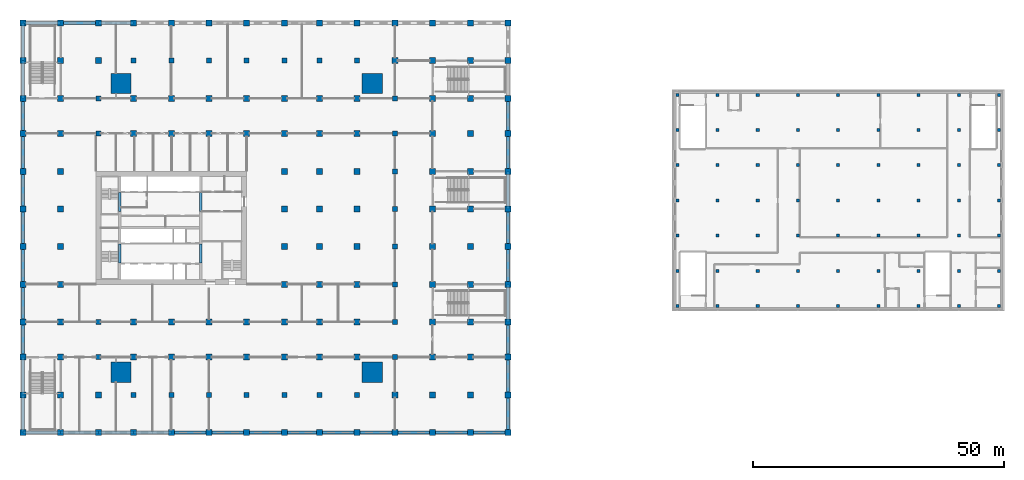
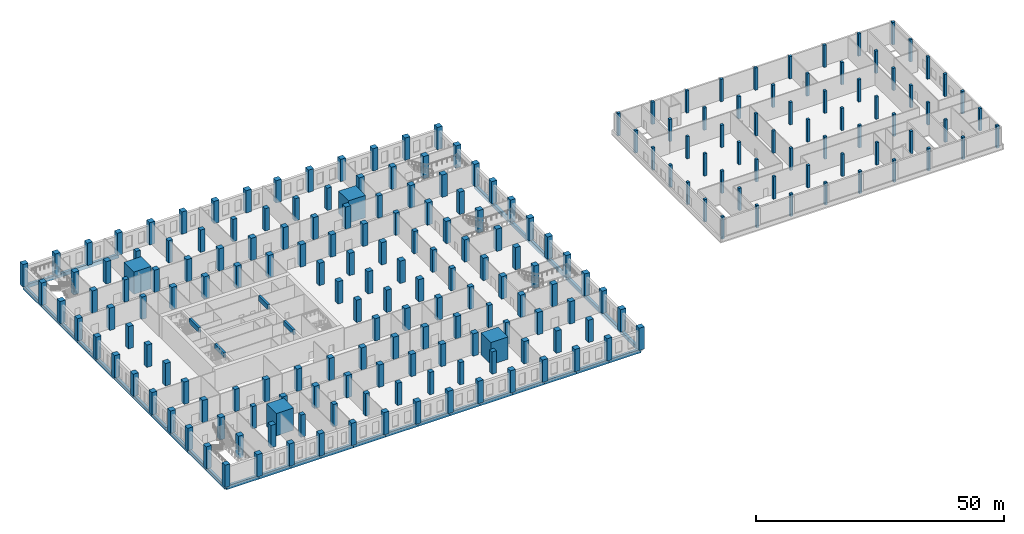
# One storey, part 1 of 25: 215 columns, 40 beams.
"""IFC4 building model written with IfcOpenShell, lengths in metres."""

from ifc_helpers import new_model, si_unit, direction, frame, origin, origin_2d, place, context, subcontext, project, spatial, rectangle, extrude, material, material_profile, profile_set, type_object, element, save


model = new_model("IFC4")

# Units and contexts
model_context = context("Model", 3, precision=1e-05, world=origin(), true_north=direction((0.0, 1.0)))
body_context = subcontext(model_context, "Body", "Model", "MODEL_VIEW")
ifc_project = project(units=[si_unit("LENGTHUNIT", "METRE"), si_unit("AREAUNIT", "SQUARE_METRE"), si_unit("VOLUMEUNIT", "CUBIC_METRE"), si_unit("PLANEANGLEUNIT", "RADIAN"), si_unit("MASSUNIT", "GRAM", prefix="KILO")], contexts=[model_context])

# Site, building, storey
site_placement = place(None, origin())
site = spatial("IfcSite", under=ifc_project, at=site_placement, CompositionType="ELEMENT")
building_placement = place(site_placement, origin())
building = spatial("IfcBuilding", under=site, at=building_placement, Name="Tamorin Gate", CompositionType="ELEMENT")
storey_placement = place(building_placement, frame((0.0, 0.0, 23.5)))
storey = spatial("IfcBuildingStorey", under=building, at=storey_placement, Name="L04", CompositionType="ELEMENT", Elevation=23.5)

# Columns
ifc_material_1 = material(Name="Concrete C80/95", Category="concrete")
ifc_material_profile_1 = material_profile(ifc_material_1, rectangle(XDim=1.0, YDim=1.0, at=origin_2d()), Name="RC 1000x1000")
ifc_profile_set_1 = profile_set([ifc_material_profile_1], Name="Concrete C80/95")
column_type_1 = type_object("IfcColumnType", Name="RC column 1000x1000 C80/95", PredefinedType="COLUMN", material=ifc_profile_set_1)
for number, where, z_axis, x_axis, name in (
    (1, (30.5, 45.5, 0.0), (0.0, 0.0, 1.0), (1.0, 0.0, 0.0), "Ring column L04"),
    (2, (30.5, 52.5, 0.0), (0.0, 0.0, 1.0), (1.0, 0.0, 0.0), "Ring column L04"),
    (3, (30.5, 90.0, 0.0), (0.0, 0.0, 1.0), (1.0, 0.0, 0.0), "Ring column L04"),
    (4, (30.5, 97.0, 0.0), (0.0, 0.0, 1.0), (1.0, 0.0, 0.0), "Ring column L04"),
    (5, (37.5, 38.0, 0.0), (0.0, 0.0, 1.0), (1.0, 0.0, 0.0), "Ring column L04"),
    (6, (37.5, 104.5, 0.0), (0.0, 0.0, 1.0), (1.0, 0.0, 0.0), "Ring column L04"),
    (7, (45.0, 38.0, 0.0), (0.0, 0.0, 1.0), (1.0, 0.0, 0.0), "Ring column L04"),
    (8, (45.0, 104.5, 0.0), (0.0, 0.0, 1.0), (1.0, 0.0, 0.0), "Ring column L04"),
    (9, (52.5, 38.0, 0.0), (0.0, 0.0, 1.0), (1.0, 0.0, 0.0), "Ring column L04"),
    (10, (52.5, 104.5, 0.0), (0.0, 0.0, 1.0), (1.0, 0.0, 0.0), "Ring column L04"),
    (11, (60.0, 38.0, 0.0), (0.0, 0.0, 1.0), (1.0, 0.0, 0.0), "Ring column L04"),
    (12, (60.0, 104.5, 0.0), (0.0, 0.0, 1.0), (1.0, 0.0, 0.0), "Ring column L04"),
    (13, (67.5, 38.0, 0.0), (0.0, 0.0, 1.0), (1.0, 0.0, 0.0), "Ring column L04"),
    (14, (67.5, 104.5, 0.0), (0.0, 0.0, 1.0), (1.0, 0.0, 0.0), "Ring column L04"),
    (15, (74.5, 38.0, 0.0), (0.0, 0.0, 1.0), (1.0, 0.0, 0.0), "Ring column L04"),
    (16, (74.5, 104.5, 0.0), (0.0, 0.0, 1.0), (1.0, 0.0, 0.0), "Ring column L04"),
    (17, (82.0, 38.0, 0.0), (0.0, 0.0, 1.0), (1.0, 0.0, 0.0), "Ring column L04"),
    (18, (82.0, 104.5, 0.0), (0.0, 0.0, 1.0), (1.0, 0.0, 0.0), "Ring column L04"),
    (19, (89.5, 45.5, 0.0), (0.0, 0.0, 1.0), (1.0, 0.0, 0.0), "Ring column L04"),
    (20, (89.5, 52.5, 0.0), (0.0, 0.0, 1.0), (1.0, 0.0, 0.0), "Ring column L04"),
    (21, (89.5, 60.0, 0.0), (0.0, 0.0, 1.0), (1.0, 0.0, 0.0), "Ring column L04"),
    (22, (89.5, 67.5, 0.0), (0.0, 0.0, 1.0), (1.0, 0.0, 0.0), "Ring column L04"),
    (23, (89.5, 75.0, 0.0), (0.0, 0.0, 1.0), (1.0, 0.0, 0.0), "Ring column L04"),
    (24, (89.5, 82.5, 0.0), (0.0, 0.0, 1.0), (1.0, 0.0, 0.0), "Ring column L04"),
    (25, (89.5, 90.0, 0.0), (0.0, 0.0, 1.0), (1.0, 0.0, 0.0), "Ring column L04"),
    (26, (89.5, 97.0, 0.0), (0.0, 0.0, 1.0), (1.0, 0.0, 0.0), "Ring column L04"),
):
    element("IfcColumn", number, at=place(storey_placement, frame(where, z_axis=z_axis, x_axis=x_axis)), inside=storey, type_object=column_type_1, Name=name, PredefinedType="COLUMN", context=body_context, shape_type="SweptSolid", body=[
        extrude(rectangle(XDim=1.0, YDim=1.0, at=origin_2d()), origin(), (0.0, 0.0, 1.0), 5.5),
    ])
ifc_material_profile_2 = material_profile(ifc_material_1, rectangle(XDim=1.199951171875, YDim=1.199951171875, at=origin_2d()), Name="RC 1200x1200")
ifc_profile_set_2 = profile_set([ifc_material_profile_2], Name="Concrete C80/95")
column_type_2 = type_object("IfcColumnType", Name="RC column 1200x1200 C80/95", PredefinedType="COLUMN", material=ifc_profile_set_2)
for number, where, z_axis, x_axis, name in (
    (27, (37.5, 45.5, 0.0), (0.0, 0.0, 1.0), (1.0, 0.0, 0.0), "Interior column L04"),
    (28, (37.5, 52.5, 0.0), (0.0, 0.0, 1.0), (1.0, 0.0, 0.0), "Interior column L04"),
    (29, (37.5, 90.0, 0.0), (0.0, 0.0, 1.0), (1.0, 0.0, 0.0), "Interior column L04"),
    (30, (37.5, 97.0, 0.0), (0.0, 0.0, 1.0), (1.0, 0.0, 0.0), "Interior column L04"),
    (31, (45.0, 45.5, 0.0), (0.0, 0.0, 1.0), (1.0, 0.0, 0.0), "Interior column L04"),
    (32, (45.0, 52.5, 0.0), (0.0, 0.0, 1.0), (1.0, 0.0, 0.0), "Interior column L04"),
    (33, (45.0, 90.0, 0.0), (0.0, 0.0, 1.0), (1.0, 0.0, 0.0), "Interior column L04"),
    (34, (45.0, 97.0, 0.0), (0.0, 0.0, 1.0), (1.0, 0.0, 0.0), "Interior column L04"),
    (35, (52.5, 45.5, 0.0), (0.0, 0.0, 1.0), (1.0, 0.0, 0.0), "Interior column L04"),
    (36, (52.5, 52.5, 0.0), (0.0, 0.0, 1.0), (1.0, 0.0, 0.0), "Interior column L04"),
    (37, (52.5, 90.0, 0.0), (0.0, 0.0, 1.0), (1.0, 0.0, 0.0), "Interior column L04"),
    (38, (52.5, 97.0, 0.0), (0.0, 0.0, 1.0), (1.0, 0.0, 0.0), "Interior column L04"),
    (39, (60.0, 45.5, 0.0), (0.0, 0.0, 1.0), (1.0, 0.0, 0.0), "Interior column L04"),
    (40, (60.0, 52.5, 0.0), (0.0, 0.0, 1.0), (1.0, 0.0, 0.0), "Interior column L04"),
    (41, (60.0, 90.0, 0.0), (0.0, 0.0, 1.0), (1.0, 0.0, 0.0), "Interior column L04"),
    (42, (60.0, 97.0, 0.0), (0.0, 0.0, 1.0), (1.0, 0.0, 0.0), "Interior column L04"),
    (43, (67.5, 45.5, 0.0), (0.0, 0.0, 1.0), (1.0, 0.0, 0.0), "Interior column L04"),
    (44, (67.5, 52.5, 0.0), (0.0, 0.0, 1.0), (1.0, 0.0, 0.0), "Interior column L04"),
    (45, (67.5, 60.0, 0.0), (0.0, 0.0, 1.0), (1.0, 0.0, 0.0), "Interior column L04"),
    (46, (67.5, 67.5, 0.0), (0.0, 0.0, 1.0), (1.0, 0.0, 0.0), "Interior column L04"),
    (47, (67.5, 75.0, 0.0), (0.0, 0.0, 1.0), (1.0, 0.0, 0.0), "Interior column L04"),
    (48, (67.5, 82.5, 0.0), (0.0, 0.0, 1.0), (1.0, 0.0, 0.0), "Interior column L04"),
    (49, (67.5, 90.0, 0.0), (0.0, 0.0, 1.0), (1.0, 0.0, 0.0), "Interior column L04"),
    (50, (67.5, 97.0, 0.0), (0.0, 0.0, 1.0), (1.0, 0.0, 0.0), "Interior column L04"),
    (51, (74.5, 45.5, 0.0), (0.0, 0.0, 1.0), (1.0, 0.0, 0.0), "Interior column L04"),
    (52, (74.5, 52.5, 0.0), (0.0, 0.0, 1.0), (1.0, 0.0, 0.0), "Interior column L04"),
    (53, (74.5, 60.0, 0.0), (0.0, 0.0, 1.0), (1.0, 0.0, 0.0), "Interior column L04"),
    (54, (74.5, 67.5, 0.0), (0.0, 0.0, 1.0), (1.0, 0.0, 0.0), "Interior column L04"),
    (55, (74.5, 75.0, 0.0), (0.0, 0.0, 1.0), (1.0, 0.0, 0.0), "Interior column L04"),
    (56, (74.5, 82.5, 0.0), (0.0, 0.0, 1.0), (1.0, 0.0, 0.0), "Interior column L04"),
    (57, (74.5, 90.0, 0.0), (0.0, 0.0, 1.0), (1.0, 0.0, 0.0), "Interior column L04"),
    (58, (74.5, 97.0, 0.0), (0.0, 0.0, 1.0), (1.0, 0.0, 0.0), "Interior column L04"),
    (59, (82.0, 45.5, 0.0), (0.0, 0.0, 1.0), (1.0, 0.0, 0.0), "Interior column L04"),
    (60, (82.0, 52.5, 0.0), (0.0, 0.0, 1.0), (1.0, 0.0, 0.0), "Interior column L04"),
    (61, (82.0, 60.0, 0.0), (0.0, 0.0, 1.0), (1.0, 0.0, 0.0), "Interior column L04"),
    (62, (82.0, 67.5, 0.0), (0.0, 0.0, 1.0), (1.0, 0.0, 0.0), "Interior column L04"),
    (63, (82.0, 75.0, 0.0), (0.0, 0.0, 1.0), (1.0, 0.0, 0.0), "Interior column L04"),
    (64, (82.0, 82.5, 0.0), (0.0, 0.0, 1.0), (1.0, 0.0, 0.0), "Interior column L04"),
    (65, (82.0, 90.0, 0.0), (0.0, 0.0, 1.0), (1.0, 0.0, 0.0), "Interior column L04"),
    (66, (82.0, 97.0, 0.0), (0.0, 0.0, 1.0), (1.0, 0.0, 0.0), "Interior column L04"),
    (67, (15.5, 30.5, 0.0), (0.0, 0.0, 1.0), (1.0, 0.0, 0.0), "Podium column L04"),
    (68, (15.5, 38.0, 0.0), (0.0, 0.0, 1.0), (1.0, 0.0, 0.0), "Podium column L04"),
    (69, (15.5, 45.5, 0.0), (0.0, 0.0, 1.0), (1.0, 0.0, 0.0), "Podium column L04"),
    (70, (15.5, 52.5, 0.0), (0.0, 0.0, 1.0), (1.0, 0.0, 0.0), "Podium column L04"),
    (71, (15.5, 60.0, 0.0), (0.0, 0.0, 1.0), (1.0, 0.0, 0.0), "Podium column L04"),
    (72, (15.5, 67.5, 0.0), (0.0, 0.0, 1.0), (1.0, 0.0, 0.0), "Podium column L04"),
    (73, (15.5, 75.0, 0.0), (0.0, 0.0, 1.0), (1.0, 0.0, 0.0), "Podium column L04"),
    (74, (15.5, 82.5, 0.0), (0.0, 0.0, 1.0), (1.0, 0.0, 0.0), "Podium column L04"),
    (75, (15.5, 90.0, 0.0), (0.0, 0.0, 1.0), (1.0, 0.0, 0.0), "Podium column L04"),
    (76, (15.5, 97.0, 0.0), (0.0, 0.0, 1.0), (1.0, 0.0, 0.0), "Podium column L04"),
    (77, (15.5, 104.5, 0.0), (0.0, 0.0, 1.0), (1.0, 0.0, 0.0), "Podium column L04"),
    (78, (15.5, 112.0, 0.0), (0.0, 0.0, 1.0), (1.0, 0.0, 0.0), "Podium column L04"),
    (79, (23.0, 30.5, 0.0), (0.0, 0.0, 1.0), (1.0, 0.0, 0.0), "Podium column L04"),
    (80, (23.0, 38.0, 0.0), (0.0, 0.0, 1.0), (1.0, 0.0, 0.0), "Podium column L04"),
    (81, (23.0, 45.5, 0.0), (0.0, 0.0, 1.0), (1.0, 0.0, 0.0), "Podium column L04"),
    (82, (23.0, 52.5, 0.0), (0.0, 0.0, 1.0), (1.0, 0.0, 0.0), "Podium column L04"),
    (83, (23.0, 60.0, 0.0), (0.0, 0.0, 1.0), (1.0, 0.0, 0.0), "Podium column L04"),
    (84, (23.0, 67.5, 0.0), (0.0, 0.0, 1.0), (1.0, 0.0, 0.0), "Podium column L04"),
    (85, (23.0, 75.0, 0.0), (0.0, 0.0, 1.0), (1.0, 0.0, 0.0), "Podium column L04"),
    (86, (23.0, 82.5, 0.0), (0.0, 0.0, 1.0), (1.0, 0.0, 0.0), "Podium column L04"),
    (87, (23.0, 90.0, 0.0), (0.0, 0.0, 1.0), (1.0, 0.0, 0.0), "Podium column L04"),
    (88, (23.0, 97.0, 0.0), (0.0, 0.0, 1.0), (1.0, 0.0, 0.0), "Podium column L04"),
    (89, (23.0, 104.5, 0.0), (0.0, 0.0, 1.0), (1.0, 0.0, 0.0), "Podium column L04"),
    (90, (23.0, 112.0, 0.0), (0.0, 0.0, 1.0), (1.0, 0.0, 0.0), "Podium column L04"),
    (91, (30.5, 30.5, 0.0), (0.0, 0.0, 1.0), (1.0, 0.0, 0.0), "Podium column L04"),
    (92, (30.5, 38.0, 0.0), (0.0, 0.0, 1.0), (1.0, 0.0, 0.0), "Podium column L04"),
    (93, (30.5, 104.5, 0.0), (0.0, 0.0, 1.0), (1.0, 0.0, 0.0), "Podium column L04"),
    (94, (30.5, 112.0, 0.0), (0.0, 0.0, 1.0), (1.0, 0.0, 0.0), "Podium column L04"),
    (95, (37.5, 30.5, 0.0), (0.0, 0.0, 1.0), (1.0, 0.0, 0.0), "Podium column L04"),
    (96, (37.5, 112.0, 0.0), (0.0, 0.0, 1.0), (1.0, 0.0, 0.0), "Podium column L04"),
    (97, (45.0, 30.5, 0.0), (0.0, 0.0, 1.0), (1.0, 0.0, 0.0), "Podium column L04"),
    (98, (45.0, 112.0, 0.0), (0.0, 0.0, 1.0), (1.0, 0.0, 0.0), "Podium column L04"),
    (99, (52.5, 30.5, 0.0), (0.0, 0.0, 1.0), (1.0, 0.0, 0.0), "Podium column L04"),
    (100, (52.5, 112.0, 0.0), (0.0, 0.0, 1.0), (1.0, 0.0, 0.0), "Podium column L04"),
    (101, (60.0, 30.5, 0.0), (0.0, 0.0, 1.0), (1.0, 0.0, 0.0), "Podium column L04"),
    (102, (60.0, 112.0, 0.0), (0.0, 0.0, 1.0), (1.0, 0.0, 0.0), "Podium column L04"),
    (103, (67.5, 30.5, 0.0), (0.0, 0.0, 1.0), (1.0, 0.0, 0.0), "Podium column L04"),
    (104, (67.5, 112.0, 0.0), (0.0, 0.0, 1.0), (1.0, 0.0, 0.0), "Podium column L04"),
    (105, (74.5, 30.5, 0.0), (0.0, 0.0, 1.0), (1.0, 0.0, 0.0), "Podium column L04"),
    (106, (74.5, 112.0, 0.0), (0.0, 0.0, 1.0), (1.0, 0.0, 0.0), "Podium column L04"),
    (107, (82.0, 30.5, 0.0), (0.0, 0.0, 1.0), (1.0, 0.0, 0.0), "Podium column L04"),
    (108, (82.0, 112.0, 0.0), (0.0, 0.0, 1.0), (1.0, 0.0, 0.0), "Podium column L04"),
    (109, (89.5, 30.5, 0.0), (0.0, 0.0, 1.0), (1.0, 0.0, 0.0), "Podium column L04"),
    (110, (89.5, 38.0, 0.0), (0.0, 0.0, 1.0), (1.0, 0.0, 0.0), "Podium column L04"),
    (111, (89.5, 104.5, 0.0), (0.0, 0.0, 1.0), (1.0, 0.0, 0.0), "Podium column L04"),
    (112, (89.5, 112.0, 0.0), (0.0, 0.0, 1.0), (1.0, 0.0, 0.0), "Podium column L04"),
    (113, (97.0, 30.5, 0.0), (0.0, 0.0, 1.0), (1.0, 0.0, 0.0), "Podium column L04"),
    (114, (97.0, 38.0, 0.0), (0.0, 0.0, 1.0), (1.0, 0.0, 0.0), "Podium column L04"),
    (115, (97.0, 45.5, 0.0), (0.0, 0.0, 1.0), (1.0, 0.0, 0.0), "Podium column L04"),
    (116, (97.0, 52.5, 0.0), (0.0, 0.0, 1.0), (1.0, 0.0, 0.0), "Podium column L04"),
    (117, (97.0, 60.0, 0.0), (0.0, 0.0, 1.0), (1.0, 0.0, 0.0), "Podium column L04"),
    (118, (97.0, 67.5, 0.0), (0.0, 0.0, 1.0), (1.0, 0.0, 0.0), "Podium column L04"),
    (119, (97.0, 75.0, 0.0), (0.0, 0.0, 1.0), (1.0, 0.0, 0.0), "Podium column L04"),
    (120, (97.0, 82.5, 0.0), (0.0, 0.0, 1.0), (1.0, 0.0, 0.0), "Podium column L04"),
    (121, (97.0, 90.0, 0.0), (0.0, 0.0, 1.0), (1.0, 0.0, 0.0), "Podium column L04"),
    (122, (97.0, 97.0, 0.0), (0.0, 0.0, 1.0), (1.0, 0.0, 0.0), "Podium column L04"),
    (123, (97.0, 104.5, 0.0), (0.0, 0.0, 1.0), (1.0, 0.0, 0.0), "Podium column L04"),
    (124, (97.0, 112.0, 0.0), (0.0, 0.0, 1.0), (1.0, 0.0, 0.0), "Podium column L04"),
    (125, (104.5, 30.5, 0.0), (0.0, 0.0, 1.0), (1.0, 0.0, 0.0), "Podium column L04"),
    (126, (104.5, 38.0, 0.0), (0.0, 0.0, 1.0), (1.0, 0.0, 0.0), "Podium column L04"),
    (127, (104.5, 45.5, 0.0), (0.0, 0.0, 1.0), (1.0, 0.0, 0.0), "Podium column L04"),
    (128, (104.5, 52.5, 0.0), (0.0, 0.0, 1.0), (1.0, 0.0, 0.0), "Podium column L04"),
    (129, (104.5, 60.0, 0.0), (0.0, 0.0, 1.0), (1.0, 0.0, 0.0), "Podium column L04"),
    (130, (104.5, 67.5, 0.0), (0.0, 0.0, 1.0), (1.0, 0.0, 0.0), "Podium column L04"),
    (131, (104.5, 75.0, 0.0), (0.0, 0.0, 1.0), (1.0, 0.0, 0.0), "Podium column L04"),
    (132, (104.5, 82.5, 0.0), (0.0, 0.0, 1.0), (1.0, 0.0, 0.0), "Podium column L04"),
    (133, (104.5, 90.0, 0.0), (0.0, 0.0, 1.0), (1.0, 0.0, 0.0), "Podium column L04"),
    (134, (104.5, 97.0, 0.0), (0.0, 0.0, 1.0), (1.0, 0.0, 0.0), "Podium column L04"),
    (135, (104.5, 104.5, 0.0), (0.0, 0.0, 1.0), (1.0, 0.0, 0.0), "Podium column L04"),
    (136, (104.5, 112.0, 0.0), (0.0, 0.0, 1.0), (1.0, 0.0, 0.0), "Podium column L04"),
    (137, (112.0, 30.5, 0.0), (0.0, 0.0, 1.0), (1.0, 0.0, 0.0), "Podium column L04"),
    (138, (112.0, 38.0, 0.0), (0.0, 0.0, 1.0), (1.0, 0.0, 0.0), "Podium column L04"),
    (139, (112.0, 45.5, 0.0), (0.0, 0.0, 1.0), (1.0, 0.0, 0.0), "Podium column L04"),
    (140, (112.0, 52.5, 0.0), (0.0, 0.0, 1.0), (1.0, 0.0, 0.0), "Podium column L04"),
    (141, (112.0, 60.0, 0.0), (0.0, 0.0, 1.0), (1.0, 0.0, 0.0), "Podium column L04"),
    (142, (112.0, 67.5, 0.0), (0.0, 0.0, 1.0), (1.0, 0.0, 0.0), "Podium column L04"),
    (143, (112.0, 75.0, 0.0), (0.0, 0.0, 1.0), (1.0, 0.0, 0.0), "Podium column L04"),
    (144, (112.0, 82.5, 0.0), (0.0, 0.0, 1.0), (1.0, 0.0, 0.0), "Podium column L04"),
    (145, (112.0, 90.0, 0.0), (0.0, 0.0, 1.0), (1.0, 0.0, 0.0), "Podium column L04"),
    (146, (112.0, 97.0, 0.0), (0.0, 0.0, 1.0), (1.0, 0.0, 0.0), "Podium column L04"),
    (147, (112.0, 104.5, 0.0), (0.0, 0.0, 1.0), (1.0, 0.0, 0.0), "Podium column L04"),
    (148, (112.0, 112.0, 0.0), (0.0, 0.0, 1.0), (1.0, 0.0, 0.0), "Podium column L04"),
):
    element("IfcColumn", number, at=place(storey_placement, frame(where, z_axis=z_axis, x_axis=x_axis)), inside=storey, type_object=column_type_2, Name=name, PredefinedType="COLUMN", context=body_context, shape_type="SweptSolid", body=[
        extrude(rectangle(XDim=1.199951171875, YDim=1.199951171875, at=origin_2d()), origin(), (0.0, 0.0, 1.0), 5.5),
    ])
ifc_material_profile_3 = material_profile(ifc_material_1, rectangle(XDim=4.0, YDim=4.0, at=origin_2d()), Name="RC 4000x4000")
ifc_profile_set_3 = profile_set([ifc_material_profile_3], Name="Concrete C80/95")
column_type_3 = type_object("IfcColumnType", Name="RC column 4000x4000 C80/95", PredefinedType="COLUMN", material=ifc_profile_set_3)
for number, where, z_axis, x_axis, name in (
    (149, (35.0, 42.5, 0.0), (0.0, 0.0, 1.0), (1.0, 0.0, 0.0), "Mega column SW L04"),
    (150, (85.0, 42.5, 0.0), (0.0, 0.0, 1.0), (1.0, 0.0, 0.0), "Mega column SE L04"),
    (151, (35.0, 100.0, 0.0), (0.0, 0.0, 1.0), (1.0, 0.0, 0.0), "Mega column NW L04"),
    (152, (85.0, 100.0, 0.0), (0.0, 0.0, 1.0), (1.0, 0.0, 0.0), "Mega column NE L04"),
):
    element("IfcColumn", number, at=place(storey_placement, frame(where, z_axis=z_axis, x_axis=x_axis)), inside=storey, type_object=column_type_3, Name=name, PredefinedType="COLUMN", context=body_context, shape_type="SweptSolid", body=[
        extrude(rectangle(XDim=4.0, YDim=4.0, at=origin_2d()), origin(), (0.0, 0.0, 1.0), 5.5),
    ])
ifc_material_2 = material(Name="Concrete C50/60", Category="concrete")
ifc_material_profile_4 = material_profile(ifc_material_2, rectangle(XDim=0.60009765625, YDim=0.60009765625, at=origin_2d()))
ifc_profile_set_4 = profile_set([ifc_material_profile_4], Name="Concrete C50/60")
column_type_4 = type_object("IfcColumnType", Name="RC column 600x600 C50/60", PredefinedType="COLUMN", material=ifc_profile_set_4)
for number, where, z_axis, x_axis, name in (
    (153, (145.699951171875, 55.699951171875, 0.0), (0.0, 0.0, 1.0), (1.0, 0.0, 0.0), "Museum column L04"),
    (154, (145.699951171875, 62.699951171875, 0.0), (0.0, 0.0, 1.0), (1.0, 0.0, 0.0), "Museum column L04"),
    (155, (145.699951171875, 69.699951171875, 0.0), (0.0, 0.0, 1.0), (1.0, 0.0, 0.0), "Museum column L04"),
    (156, (145.699951171875, 76.699951171875, 0.0), (0.0, 0.0, 1.0), (1.0, 0.0, 0.0), "Museum column L04"),
    (157, (145.699951171875, 83.699951171875, 0.0), (0.0, 0.0, 1.0), (1.0, 0.0, 0.0), "Museum column L04"),
    (158, (145.699951171875, 90.699951171875, 0.0), (0.0, 0.0, 1.0), (1.0, 0.0, 0.0), "Museum column L04"),
    (159, (145.699951171875, 97.699951171875, 0.0), (0.0, 0.0, 1.0), (1.0, 0.0, 0.0), "Museum column L04"),
    (160, (153.699951171875, 55.699951171875, 0.0), (0.0, 0.0, 1.0), (1.0, 0.0, 0.0), "Museum column L04"),
    (161, (153.699951171875, 62.699951171875, 0.0), (0.0, 0.0, 1.0), (1.0, 0.0, 0.0), "Museum column L04"),
    (162, (153.699951171875, 69.699951171875, 0.0), (0.0, 0.0, 1.0), (1.0, 0.0, 0.0), "Museum column L04"),
    (163, (153.699951171875, 76.699951171875, 0.0), (0.0, 0.0, 1.0), (1.0, 0.0, 0.0), "Museum column L04"),
    (164, (153.699951171875, 83.699951171875, 0.0), (0.0, 0.0, 1.0), (1.0, 0.0, 0.0), "Museum column L04"),
    (165, (153.699951171875, 90.699951171875, 0.0), (0.0, 0.0, 1.0), (1.0, 0.0, 0.0), "Museum column L04"),
    (166, (153.699951171875, 97.699951171875, 0.0), (0.0, 0.0, 1.0), (1.0, 0.0, 0.0), "Museum column L04"),
    (167, (161.699951171875, 55.699951171875, 0.0), (0.0, 0.0, 1.0), (1.0, 0.0, 0.0), "Museum column L04"),
    (168, (161.699951171875, 62.699951171875, 0.0), (0.0, 0.0, 1.0), (1.0, 0.0, 0.0), "Museum column L04"),
    (169, (161.699951171875, 69.699951171875, 0.0), (0.0, 0.0, 1.0), (1.0, 0.0, 0.0), "Museum column L04"),
    (170, (161.699951171875, 76.699951171875, 0.0), (0.0, 0.0, 1.0), (1.0, 0.0, 0.0), "Museum column L04"),
    (171, (161.699951171875, 83.699951171875, 0.0), (0.0, 0.0, 1.0), (1.0, 0.0, 0.0), "Museum column L04"),
    (172, (161.699951171875, 90.699951171875, 0.0), (0.0, 0.0, 1.0), (1.0, 0.0, 0.0), "Museum column L04"),
    (173, (161.699951171875, 97.699951171875, 0.0), (0.0, 0.0, 1.0), (1.0, 0.0, 0.0), "Museum column L04"),
    (174, (169.699951171875, 55.699951171875, 0.0), (0.0, 0.0, 1.0), (1.0, 0.0, 0.0), "Museum column L04"),
    (175, (169.699951171875, 62.699951171875, 0.0), (0.0, 0.0, 1.0), (1.0, 0.0, 0.0), "Museum column L04"),
    (176, (169.699951171875, 69.699951171875, 0.0), (0.0, 0.0, 1.0), (1.0, 0.0, 0.0), "Museum column L04"),
    (177, (169.699951171875, 76.699951171875, 0.0), (0.0, 0.0, 1.0), (1.0, 0.0, 0.0), "Museum column L04"),
    (178, (169.699951171875, 83.699951171875, 0.0), (0.0, 0.0, 1.0), (1.0, 0.0, 0.0), "Museum column L04"),
    (179, (169.699951171875, 90.699951171875, 0.0), (0.0, 0.0, 1.0), (1.0, 0.0, 0.0), "Museum column L04"),
    (180, (169.699951171875, 97.699951171875, 0.0), (0.0, 0.0, 1.0), (1.0, 0.0, 0.0), "Museum column L04"),
    (181, (177.699951171875, 55.699951171875, 0.0), (0.0, 0.0, 1.0), (1.0, 0.0, 0.0), "Museum column L04"),
    (182, (177.699951171875, 62.699951171875, 0.0), (0.0, 0.0, 1.0), (1.0, 0.0, 0.0), "Museum column L04"),
    (183, (177.699951171875, 69.699951171875, 0.0), (0.0, 0.0, 1.0), (1.0, 0.0, 0.0), "Museum column L04"),
    (184, (177.699951171875, 76.699951171875, 0.0), (0.0, 0.0, 1.0), (1.0, 0.0, 0.0), "Museum column L04"),
    (185, (177.699951171875, 83.699951171875, 0.0), (0.0, 0.0, 1.0), (1.0, 0.0, 0.0), "Museum column L04"),
    (186, (177.699951171875, 90.699951171875, 0.0), (0.0, 0.0, 1.0), (1.0, 0.0, 0.0), "Museum column L04"),
    (187, (177.699951171875, 97.699951171875, 0.0), (0.0, 0.0, 1.0), (1.0, 0.0, 0.0), "Museum column L04"),
    (188, (185.699951171875, 55.699951171875, 0.0), (0.0, 0.0, 1.0), (1.0, 0.0, 0.0), "Museum column L04"),
    (189, (185.699951171875, 62.699951171875, 0.0), (0.0, 0.0, 1.0), (1.0, 0.0, 0.0), "Museum column L04"),
    (190, (185.699951171875, 69.699951171875, 0.0), (0.0, 0.0, 1.0), (1.0, 0.0, 0.0), "Museum column L04"),
    (191, (185.699951171875, 76.699951171875, 0.0), (0.0, 0.0, 1.0), (1.0, 0.0, 0.0), "Museum column L04"),
    (192, (185.699951171875, 83.699951171875, 0.0), (0.0, 0.0, 1.0), (1.0, 0.0, 0.0), "Museum column L04"),
    (193, (185.699951171875, 90.699951171875, 0.0), (0.0, 0.0, 1.0), (1.0, 0.0, 0.0), "Museum column L04"),
    (194, (185.699951171875, 97.699951171875, 0.0), (0.0, 0.0, 1.0), (1.0, 0.0, 0.0), "Museum column L04"),
    (195, (193.699951171875, 55.699951171875, 0.0), (0.0, 0.0, 1.0), (1.0, 0.0, 0.0), "Museum column L04"),
    (196, (193.699951171875, 62.699951171875, 0.0), (0.0, 0.0, 1.0), (1.0, 0.0, 0.0), "Museum column L04"),
    (197, (193.699951171875, 69.699951171875, 0.0), (0.0, 0.0, 1.0), (1.0, 0.0, 0.0), "Museum column L04"),
    (198, (193.699951171875, 76.699951171875, 0.0), (0.0, 0.0, 1.0), (1.0, 0.0, 0.0), "Museum column L04"),
    (199, (193.699951171875, 83.699951171875, 0.0), (0.0, 0.0, 1.0), (1.0, 0.0, 0.0), "Museum column L04"),
    (200, (193.699951171875, 90.699951171875, 0.0), (0.0, 0.0, 1.0), (1.0, 0.0, 0.0), "Museum column L04"),
    (201, (193.699951171875, 97.699951171875, 0.0), (0.0, 0.0, 1.0), (1.0, 0.0, 0.0), "Museum column L04"),
    (202, (201.699951171875, 55.699951171875, 0.0), (0.0, 0.0, 1.0), (1.0, 0.0, 0.0), "Museum column L04"),
    (203, (201.699951171875, 62.699951171875, 0.0), (0.0, 0.0, 1.0), (1.0, 0.0, 0.0), "Museum column L04"),
    (204, (201.699951171875, 69.699951171875, 0.0), (0.0, 0.0, 1.0), (1.0, 0.0, 0.0), "Museum column L04"),
    (205, (201.699951171875, 76.699951171875, 0.0), (0.0, 0.0, 1.0), (1.0, 0.0, 0.0), "Museum column L04"),
    (206, (201.699951171875, 83.699951171875, 0.0), (0.0, 0.0, 1.0), (1.0, 0.0, 0.0), "Museum column L04"),
    (207, (201.699951171875, 90.699951171875, 0.0), (0.0, 0.0, 1.0), (1.0, 0.0, 0.0), "Museum column L04"),
    (208, (201.699951171875, 97.699951171875, 0.0), (0.0, 0.0, 1.0), (1.0, 0.0, 0.0), "Museum column L04"),
    (209, (209.699951171875, 55.699951171875, 0.0), (0.0, 0.0, 1.0), (1.0, 0.0, 0.0), "Museum column L04"),
    (210, (209.699951171875, 62.699951171875, 0.0), (0.0, 0.0, 1.0), (1.0, 0.0, 0.0), "Museum column L04"),
    (211, (209.699951171875, 69.699951171875, 0.0), (0.0, 0.0, 1.0), (1.0, 0.0, 0.0), "Museum column L04"),
    (212, (209.699951171875, 76.699951171875, 0.0), (0.0, 0.0, 1.0), (1.0, 0.0, 0.0), "Museum column L04"),
    (213, (209.699951171875, 83.699951171875, 0.0), (0.0, 0.0, 1.0), (1.0, 0.0, 0.0), "Museum column L04"),
    (214, (209.699951171875, 90.699951171875, 0.0), (0.0, 0.0, 1.0), (1.0, 0.0, 0.0), "Museum column L04"),
    (215, (209.699951171875, 97.699951171875, 0.0), (0.0, 0.0, 1.0), (1.0, 0.0, 0.0), "Museum column L04"),
):
    element("IfcColumn", number, at=place(storey_placement, frame(where, z_axis=z_axis, x_axis=x_axis)), inside=storey, type_object=column_type_4, Name=name, PredefinedType="COLUMN", context=body_context, shape_type="SweptSolid", body=[
        extrude(rectangle(XDim=0.60009765625, YDim=0.60009765625, at=origin_2d()), origin(), (0.0, 0.0, 1.0), 5.5),
    ])

# Beams
ifc_material_profile_5 = material_profile(ifc_material_1, rectangle(XDim=0.5, YDim=1.199951171875, at=origin_2d()), Name="RC 500x1200")
ifc_profile_set_5 = profile_set([ifc_material_profile_5], Name="Concrete C80/95")
beam_type_1 = type_object("IfcBeamType", Name="RC coupling beam 500x1200 C80/95", PredefinedType="BEAM", material=ifc_profile_set_5)
for number, where, z_axis, x_axis, name in (
    (216, (34.75, 64.199951171875, 4.89990234375), (0.0, 1.0, 0.0), (-1.0, 0.0, 0.0), "Coupling beam L04"),
    (217, (34.75, 74.449951171875, 4.89990234375), (0.0, 1.0, 0.0), (-1.0, 0.0, 0.0), "Coupling beam L04"),
    (218, (50.85009765625, 64.199951171875, 4.89990234375), (0.0, 1.0, 0.0), (-1.0, 0.0, 0.0), "Coupling beam L04"),
    (219, (50.85009765625, 74.449951171875, 4.89990234375), (0.0, 1.0, 0.0), (-1.0, 0.0, 0.0), "Coupling beam L04"),
):
    element("IfcBeam", number, at=place(storey_placement, frame(where, z_axis=z_axis, x_axis=x_axis)), inside=storey, type_object=beam_type_1, Name=name, PredefinedType="BEAM", context=body_context, shape_type="SweptSolid", body=[
        extrude(rectangle(XDim=0.5, YDim=1.199951171875, at=origin_2d()), origin(), (0.0, 0.0, 1.0), 3.85009765625),
    ])
ifc_material_profile_6 = material_profile(ifc_material_2, rectangle(XDim=0.60009765625, YDim=0.89990234375, at=origin_2d()), Name="RC 600x900")
ifc_profile_set_6 = profile_set([ifc_material_profile_6], Name="Concrete C50/60")
beam_type_2 = type_object("IfcBeamType", Name="RC spandrel 600x900 C50/60", PredefinedType="BEAM", material=ifc_profile_set_6)
for number, where, z_axis, x_axis, name in (
    (220, (15.5, 30.5, -0.449951171875), (1.0, 0.0, 0.0), (0.0, 1.0, 0.0), "Spandrel beam L04"),
    (221, (23.0, 30.5, -0.449951171875), (1.0, 0.0, 0.0), (0.0, 1.0, 0.0), "Spandrel beam L04"),
):
    element("IfcBeam", number, at=place(storey_placement, frame(where, z_axis=z_axis, x_axis=x_axis)), inside=storey, type_object=beam_type_2, Name=name, PredefinedType="BEAM", context=body_context, shape_type="SweptSolid", body=[
        extrude(rectangle(XDim=0.60009765625, YDim=0.89990234375, at=origin_2d()), origin(), (0.0, 0.0, 1.0), 7.5),
    ])
beam_1_placement = place(storey_placement, frame((30.5, 30.5, -0.449951171875), z_axis=(1.0, 0.0, 0.0), x_axis=(0.0, 1.0, 0.0)))
element("IfcBeam", 222, at=beam_1_placement, inside=storey, type_object=beam_type_2, Name="Spandrel beam L04", PredefinedType="BEAM", context=body_context, shape_type="SweptSolid", body=[
    extrude(rectangle(XDim=0.60009765625, YDim=0.89990234375, at=origin_2d()), origin(), (0.0, 0.0, 1.0), 7.0),
])
for number, where, z_axis, x_axis, name in (
    (223, (37.5, 30.5, -0.449951171875), (1.0, 0.0, 0.0), (0.0, 1.0, 0.0), "Spandrel beam L04"),
    (224, (45.0, 30.5, -0.449951171875), (1.0, 0.0, 0.0), (0.0, 1.0, 0.0), "Spandrel beam L04"),
    (225, (52.5, 30.5, -0.449951171875), (1.0, 0.0, 0.0), (0.0, 1.0, 0.0), "Spandrel beam L04"),
    (226, (60.0, 30.5, -0.449951171875), (1.0, 0.0, 0.0), (0.0, 1.0, 0.0), "Spandrel beam L04"),
):
    element("IfcBeam", number, at=place(storey_placement, frame(where, z_axis=z_axis, x_axis=x_axis)), inside=storey, type_object=beam_type_2, Name=name, PredefinedType="BEAM", context=body_context, shape_type="SweptSolid", body=[
        extrude(rectangle(XDim=0.60009765625, YDim=0.89990234375, at=origin_2d()), origin(), (0.0, 0.0, 1.0), 7.5),
    ])
beam_2_placement = place(storey_placement, frame((67.5, 30.5, -0.449951171875), z_axis=(1.0, 0.0, 0.0), x_axis=(0.0, 1.0, 0.0)))
element("IfcBeam", 227, at=beam_2_placement, inside=storey, type_object=beam_type_2, Name="Spandrel beam L04", PredefinedType="BEAM", context=body_context, shape_type="SweptSolid", body=[
    extrude(rectangle(XDim=0.60009765625, YDim=0.89990234375, at=origin_2d()), origin(), (0.0, 0.0, 1.0), 7.0),
])
for number, where, z_axis, x_axis, name in (
    (228, (74.5, 30.5, -0.449951171875), (1.0, 0.0, 0.0), (0.0, 1.0, 0.0), "Spandrel beam L04"),
    (229, (82.0, 30.5, -0.449951171875), (1.0, 0.0, 0.0), (0.0, 1.0, 0.0), "Spandrel beam L04"),
    (230, (89.5, 30.5, -0.449951171875), (1.0, 0.0, 0.0), (0.0, 1.0, 0.0), "Spandrel beam L04"),
    (231, (97.0, 30.5, -0.449951171875), (1.0, 0.0, 0.0), (0.0, 1.0, 0.0), "Spandrel beam L04"),
    (232, (104.5, 30.5, -0.449951171875), (1.0, 0.0, 0.0), (0.0, 1.0, 0.0), "Spandrel beam L04"),
    (233, (112.0, 30.5, -0.449951171875), (0.0, 1.0, 0.0), (-1.0, 0.0, 0.0), "Spandrel beam L04"),
    (234, (112.0, 38.0, -0.449951171875), (0.0, 1.0, 0.0), (-1.0, 0.0, 0.0), "Spandrel beam L04"),
):
    element("IfcBeam", number, at=place(storey_placement, frame(where, z_axis=z_axis, x_axis=x_axis)), inside=storey, type_object=beam_type_2, Name=name, PredefinedType="BEAM", context=body_context, shape_type="SweptSolid", body=[
        extrude(rectangle(XDim=0.60009765625, YDim=0.89990234375, at=origin_2d()), origin(), (0.0, 0.0, 1.0), 7.5),
    ])
beam_3_placement = place(storey_placement, frame((112.0, 45.5, -0.449951171875), z_axis=(0.0, 1.0, 0.0), x_axis=(-1.0, 0.0, 0.0)))
element("IfcBeam", 235, at=beam_3_placement, inside=storey, type_object=beam_type_2, Name="Spandrel beam L04", PredefinedType="BEAM", context=body_context, shape_type="SweptSolid", body=[
    extrude(rectangle(XDim=0.60009765625, YDim=0.89990234375, at=origin_2d()), origin(), (0.0, 0.0, 1.0), 7.0),
])
for number, where, z_axis, x_axis, name in (
    (236, (112.0, 52.5, -0.449951171875), (0.0, 1.0, 0.0), (-1.0, 0.0, 0.0), "Spandrel beam L04"),
    (237, (112.0, 60.0, -0.449951171875), (0.0, 1.0, 0.0), (-1.0, 0.0, 0.0), "Spandrel beam L04"),
    (238, (112.0, 67.5, -0.449951171875), (0.0, 1.0, 0.0), (-1.0, 0.0, 0.0), "Spandrel beam L04"),
    (239, (112.0, 75.0, -0.449951171875), (0.0, 1.0, 0.0), (-1.0, 0.0, 0.0), "Spandrel beam L04"),
    (240, (112.0, 82.5, -0.449951171875), (0.0, 1.0, 0.0), (-1.0, 0.0, 0.0), "Spandrel beam L04"),
):
    element("IfcBeam", number, at=place(storey_placement, frame(where, z_axis=z_axis, x_axis=x_axis)), inside=storey, type_object=beam_type_2, Name=name, PredefinedType="BEAM", context=body_context, shape_type="SweptSolid", body=[
        extrude(rectangle(XDim=0.60009765625, YDim=0.89990234375, at=origin_2d()), origin(), (0.0, 0.0, 1.0), 7.5),
    ])
for number, where, z_axis, x_axis, name in (
    (241, (112.0, 90.0, -0.449951171875), (0.0, 1.0, 0.0), (-1.0, 0.0, 0.0), "Spandrel beam L04"),
    (242, (37.5, 112.0, -0.449951171875), (-1.0, 0.0, 0.0), (0.0, -1.0, 0.0), "Spandrel beam L04"),
):
    element("IfcBeam", number, at=place(storey_placement, frame(where, z_axis=z_axis, x_axis=x_axis)), inside=storey, type_object=beam_type_2, Name=name, PredefinedType="BEAM", context=body_context, shape_type="SweptSolid", body=[
        extrude(rectangle(XDim=0.60009765625, YDim=0.89990234375, at=origin_2d()), origin(), (0.0, 0.0, 1.0), 7.0),
    ])
for number, where, z_axis, x_axis, name in (
    (243, (30.5, 112.0, -0.449951171875), (-1.0, 0.0, 0.0), (0.0, -1.0, 0.0), "Spandrel beam L04"),
    (244, (23.0, 112.0, -0.449951171875), (-1.0, 0.0, 0.0), (0.0, -1.0, 0.0), "Spandrel beam L04"),
    (245, (15.5, 112.0, -0.449951171875), (0.0, -1.0, 0.0), (1.0, 0.0, 0.0), "Spandrel beam L04"),
    (246, (15.5, 104.5, -0.449951171875), (0.0, -1.0, 0.0), (1.0, 0.0, 0.0), "Spandrel beam L04"),
):
    element("IfcBeam", number, at=place(storey_placement, frame(where, z_axis=z_axis, x_axis=x_axis)), inside=storey, type_object=beam_type_2, Name=name, PredefinedType="BEAM", context=body_context, shape_type="SweptSolid", body=[
        extrude(rectangle(XDim=0.60009765625, YDim=0.89990234375, at=origin_2d()), origin(), (0.0, 0.0, 1.0), 7.5),
    ])
beam_4_placement = place(storey_placement, frame((15.5, 97.0, -0.449951171875), z_axis=(0.0, -1.0, 0.0), x_axis=(1.0, 0.0, 0.0)))
element("IfcBeam", 247, at=beam_4_placement, inside=storey, type_object=beam_type_2, Name="Spandrel beam L04", PredefinedType="BEAM", context=body_context, shape_type="SweptSolid", body=[
    extrude(rectangle(XDim=0.60009765625, YDim=0.89990234375, at=origin_2d()), origin(), (0.0, 0.0, 1.0), 7.0),
])
for number, where, z_axis, x_axis, name in (
    (248, (15.5, 90.0, -0.449951171875), (0.0, -1.0, 0.0), (1.0, 0.0, 0.0), "Spandrel beam L04"),
    (249, (15.5, 82.5, -0.449951171875), (0.0, -1.0, 0.0), (1.0, 0.0, 0.0), "Spandrel beam L04"),
    (250, (15.5, 75.0, -0.449951171875), (0.0, -1.0, 0.0), (1.0, 0.0, 0.0), "Spandrel beam L04"),
    (251, (15.5, 67.5, -0.449951171875), (0.0, -1.0, 0.0), (1.0, 0.0, 0.0), "Spandrel beam L04"),
    (252, (15.5, 60.0, -0.449951171875), (0.0, -1.0, 0.0), (1.0, 0.0, 0.0), "Spandrel beam L04"),
):
    element("IfcBeam", number, at=place(storey_placement, frame(where, z_axis=z_axis, x_axis=x_axis)), inside=storey, type_object=beam_type_2, Name=name, PredefinedType="BEAM", context=body_context, shape_type="SweptSolid", body=[
        extrude(rectangle(XDim=0.60009765625, YDim=0.89990234375, at=origin_2d()), origin(), (0.0, 0.0, 1.0), 7.5),
    ])
beam_5_placement = place(storey_placement, frame((15.5, 52.5, -0.449951171875), z_axis=(0.0, -1.0, 0.0), x_axis=(1.0, 0.0, 0.0)))
element("IfcBeam", 253, at=beam_5_placement, inside=storey, type_object=beam_type_2, Name="Spandrel beam L04", PredefinedType="BEAM", context=body_context, shape_type="SweptSolid", body=[
    extrude(rectangle(XDim=0.60009765625, YDim=0.89990234375, at=origin_2d()), origin(), (0.0, 0.0, 1.0), 7.0),
])
for number, where, z_axis, x_axis, name in (
    (254, (15.5, 45.5, -0.449951171875), (0.0, -1.0, 0.0), (1.0, 0.0, 0.0), "Spandrel beam L04"),
    (255, (15.5, 38.0, -0.449951171875), (0.0, -1.0, 0.0), (1.0, 0.0, 0.0), "Spandrel beam L04"),
):
    element("IfcBeam", number, at=place(storey_placement, frame(where, z_axis=z_axis, x_axis=x_axis)), inside=storey, type_object=beam_type_2, Name=name, PredefinedType="BEAM", context=body_context, shape_type="SweptSolid", body=[
        extrude(rectangle(XDim=0.60009765625, YDim=0.89990234375, at=origin_2d()), origin(), (0.0, 0.0, 1.0), 7.5),
    ])

save(model, "model.ifc")
